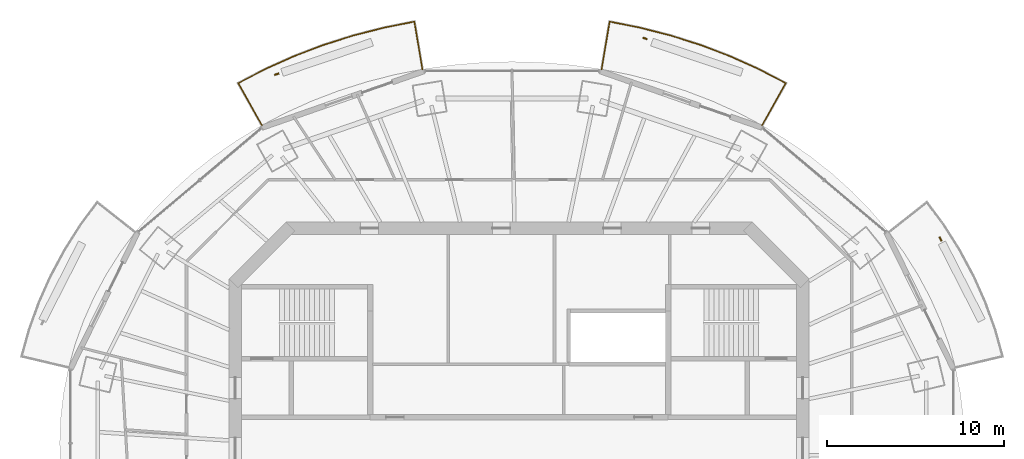
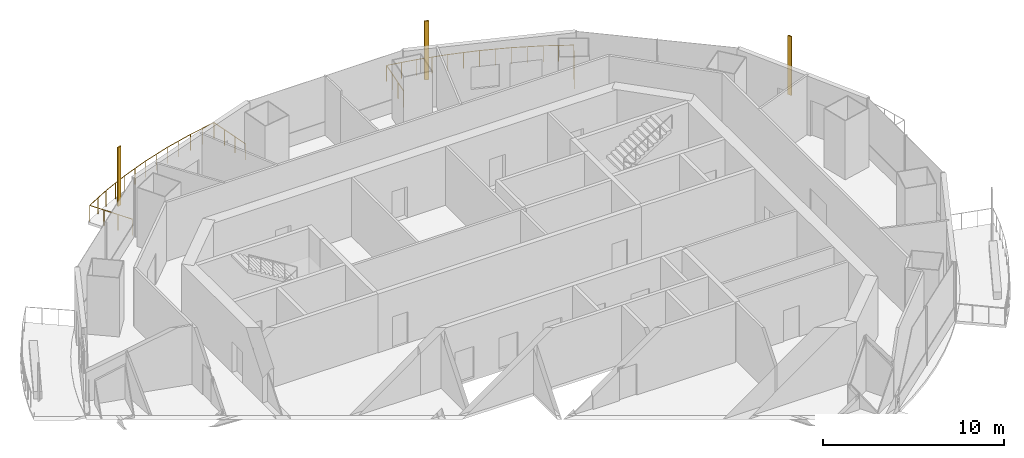
# One storey, part 14 of 15: 3 shading devices, 2 railings.
"""IFC4 building model written with IfcOpenShell, lengths in metres."""

from ifc_helpers import new_model, si_unit, direction, frame, origin, origin_2d, place, context, subcontext, project, spatial, rectangle, circle, extrude, material, material_profile, profile_set, type_object, element, save


model = new_model("IFC4")

# Units and contexts
model_context = context("Model", 3, precision=1e-05, world=origin(), true_north=direction((0.0, 1.0)))
body_context = subcontext(model_context, "Body", "Model", "MODEL_VIEW")
ifc_project = project(units=[si_unit("LENGTHUNIT", "METRE"), si_unit("AREAUNIT", "SQUARE_METRE"), si_unit("VOLUMEUNIT", "CUBIC_METRE"), si_unit("PLANEANGLEUNIT", "RADIAN"), si_unit("MASSUNIT", "GRAM", prefix="KILO")], contexts=[model_context])

# Site, building, storey
site_placement = place(None, origin())
site = spatial("IfcSite", under=ifc_project, at=site_placement, CompositionType="ELEMENT")
building_placement = place(site_placement, origin())
building = spatial("IfcBuilding", under=site, at=building_placement, Name="Marenthal Gate Tower", CompositionType="ELEMENT")
storey_placement = place(building_placement, frame((0.0, 0.0, 384.10009765625)))
storey = spatial("IfcBuildingStorey", under=building, at=storey_placement, Name="L87", CompositionType="ELEMENT", Elevation=384.10009765625)

# Railings
ifc_material_1 = material(Name="Stainless steel", Category="steel")
railing_type = type_object("IfcRailingType", Name="Balcony guard 1100", PredefinedType="GUARDRAIL", material=ifc_material_1)
railing_1_placement = place(storey_placement, frame((4.65380859375, 21.9736328125, 0.0)))
element("IfcRailing", 1, at=railing_1_placement, inside=storey, type_object=railing_type, Name="Balcony guard L87 bay 3", PredefinedType="GUARDRAIL", context=body_context, shape_type="SweptSolid", body=[
    extrude(circle(Radius=0.02392578125, at=origin_2d()), frame((0.0, 0.0, 1.076171875), z_axis=(0.16548710572, 0.986102124538, -0.014717942157), x_axis=(-0.98620894554, 0.16550503236, 0.0)), (0.0, 0.0, 1.0), 2.720458984375),
    extrude(circle(Radius=0.02392578125, at=origin_2d()), frame((0.4501953125, 2.6826171875, 1.0361328125), z_axis=(0.980937527529, -0.194323357023, 0.0), x_axis=(0.194323357023, 0.980937527529, 0.0)), (0.0, 0.0, 1.0), 1.728759765625),
    extrude(circle(Radius=0.02392578125, at=origin_2d()), frame((2.14599609375, 2.3466796875, 1.0361328125), z_axis=(0.968821611277, -0.247759329841, 0.0), x_axis=(0.247759329841, 0.968821611277, 0.0)), (0.0, 0.0, 1.0), 1.80224609375),
    extrude(circle(Radius=0.02392578125, at=origin_2d()), frame((3.89208984375, 1.900146484375, 1.0361328125), z_axis=(0.95315602873, -0.30247906522, 0.0), x_axis=(0.30247906522, 0.95315602873, 0.0)), (0.0, 0.0, 1.0), 1.794189453125),
    extrude(circle(Radius=0.02392578125, at=origin_2d()), frame((5.602294921875, 1.357421875, 1.0361328125), z_axis=(0.934164510517, -0.356842636594, 0.0), x_axis=(0.356842636594, 0.934164510517, 0.0)), (0.0, 0.0, 1.0), 1.784912109375),
    extrude(circle(Radius=0.02392578125, at=origin_2d()), frame((7.269775390625, 0.720458984375, 1.0361328125), z_axis=(0.911620111455, -0.411033784975, 0.0), x_axis=(0.411033784975, 0.911620111455, 0.0)), (0.0, 0.0, 1.0), 1.774658203125),
    extrude(circle(Radius=0.02392578125, at=origin_2d()), frame((8.8876953125, -0.009033203125, 1.0361328125), z_axis=(0.88630797914, -0.463096281688, 0.0), x_axis=(0.463096281688, 0.88630797914, 0.0)), (0.0, 0.0, 1.0), 1.683349609375),
    extrude(circle(Radius=0.02392578125, at=origin_2d()), frame((10.379638671875, -0.78857421875, 1.0361328125), z_axis=(-0.491196386037, -0.87092448933, 0.014718839267), x_axis=(0.871018845044, -0.491249602115, 0.0)), (0.0, 0.0, 1.0), 2.72021484375),
    extrude(circle(Radius=0.02099609375, at=origin_2d()), origin(), (0.0, 0.0, 1.0), 1.052001953125),
    extrude(circle(Radius=0.02099609375, at=origin_2d()), frame((0.150146484375, 0.894287109375, -0.013427734375)), (0.0, 0.0, 1.0), 1.052001953125),
    extrude(circle(Radius=0.02099609375, at=origin_2d()), frame((0.300048828125, 1.788330078125, -0.026611328125)), (0.0, 0.0, 1.0), 1.052001953125),
    extrude(circle(Radius=0.02099609375, at=origin_2d()), frame((0.4501953125, 2.6826171875, -0.0400390625)), (0.0, 0.0, 1.0), 1.052001953125),
    extrude(circle(Radius=0.02099609375, at=origin_2d()), frame((1.298095703125, 2.5146484375, -0.0400390625)), (0.0, 0.0, 1.0), 1.052001953125),
    extrude(circle(Radius=0.02099609375, at=origin_2d()), frame((2.14599609375, 2.3466796875, -0.0400390625)), (0.0, 0.0, 1.0), 1.052001953125),
    extrude(circle(Radius=0.02099609375, at=origin_2d()), frame((3.01904296875, 2.12353515625, -0.0400390625)), (0.0, 0.0, 1.0), 1.052001953125),
    extrude(circle(Radius=0.02099609375, at=origin_2d()), frame((3.89208984375, 1.900146484375, -0.0400390625)), (0.0, 0.0, 1.0), 1.052001953125),
    extrude(circle(Radius=0.02099609375, at=origin_2d()), frame((4.7470703125, 1.62890625, -0.0400390625)), (0.0, 0.0, 1.0), 1.052001953125),
    extrude(circle(Radius=0.02099609375, at=origin_2d()), frame((5.602294921875, 1.357421875, -0.0400390625)), (0.0, 0.0, 1.0), 1.052001953125),
    extrude(circle(Radius=0.02099609375, at=origin_2d()), frame((6.43603515625, 1.0390625, -0.0400390625)), (0.0, 0.0, 1.0), 1.052001953125),
    extrude(circle(Radius=0.02099609375, at=origin_2d()), frame((7.269775390625, 0.720458984375, -0.0400390625)), (0.0, 0.0, 1.0), 1.052001953125),
    extrude(circle(Radius=0.02099609375, at=origin_2d()), frame((8.07861328125, 0.355712890625, -0.0400390625)), (0.0, 0.0, 1.0), 1.052001953125),
    extrude(circle(Radius=0.02099609375, at=origin_2d()), frame((8.8876953125, -0.009033203125, -0.0400390625)), (0.0, 0.0, 1.0), 1.052001953125),
    extrude(circle(Radius=0.02099609375, at=origin_2d()), frame((9.6337890625, -0.39892578125, -0.0400390625)), (0.0, 0.0, 1.0), 1.052001953125),
    extrude(circle(Radius=0.02099609375, at=origin_2d()), frame((10.379638671875, -0.78857421875, -0.0400390625)), (0.0, 0.0, 1.0), 1.052001953125),
    extrude(circle(Radius=0.02099609375, at=origin_2d()), frame((9.934326171875, -1.578369140625, -0.026611328125)), (0.0, 0.0, 1.0), 1.052001953125),
    extrude(circle(Radius=0.02099609375, at=origin_2d()), frame((9.48876953125, -2.367919921875, -0.013427734375)), (0.0, 0.0, 1.0), 1.052001953125),
    extrude(circle(Radius=0.02099609375, at=origin_2d()), frame((9.04345703125, -3.15771484375, 0.0)), (0.0, 0.0, 1.0), 1.052001953125),
])
railing_2_placement = place(storey_placement, frame((-14.497314453125, 18.81591796875, 0.0)))
element("IfcRailing", 2, at=railing_2_placement, inside=storey, type_object=railing_type, Name="Balcony guard L87 bay 5", PredefinedType="GUARDRAIL", context=body_context, shape_type="SweptSolid", body=[
    extrude(circle(Radius=0.02392578125, at=origin_2d()), frame((0.0, 0.0, 1.076171875), z_axis=(-0.491196386037, 0.87092448933, -0.014718839267), x_axis=(-0.871018845044, -0.491249602115, 0.0)), (0.0, 0.0, 1.0), 2.72021484375),
    extrude(circle(Radius=0.02392578125, at=origin_2d()), frame((-1.336181640625, 2.369140625, 1.0361328125), z_axis=(0.88630797914, 0.463096281688, 0.0), x_axis=(-0.463096281688, 0.88630797914, 0.0)), (0.0, 0.0, 1.0), 1.683349609375),
    extrude(circle(Radius=0.02392578125, at=origin_2d()), frame((0.15576171875, 3.148681640625, 1.0361328125), z_axis=(0.911620111455, 0.411033784975, 0.0), x_axis=(-0.411033784975, 0.911620111455, 0.0)), (0.0, 0.0, 1.0), 1.774658203125),
    extrude(circle(Radius=0.02392578125, at=origin_2d()), frame((1.773681640625, 3.878173828125, 1.0361328125), z_axis=(0.934181923489, 0.356797048512, 0.0), x_axis=(-0.356797048512, 0.934181923489, 0.0)), (0.0, 0.0, 1.0), 1.78515625),
    extrude(circle(Radius=0.02392578125, at=origin_2d()), frame((3.44140625, 4.51513671875, 1.0361328125), z_axis=(0.95315602873, 0.30247906522, 0.0), x_axis=(-0.30247906522, 0.95315602873, 0.0)), (0.0, 0.0, 1.0), 1.794189453125),
    extrude(circle(Radius=0.02392578125, at=origin_2d()), frame((5.151611328125, 5.057861328125, 1.0361328125), z_axis=(0.96881329437, 0.247791849448, 0.0), x_axis=(-0.247791849448, 0.96881329437, 0.0)), (0.0, 0.0, 1.0), 1.802001953125),
    extrude(circle(Radius=0.02392578125, at=origin_2d()), frame((6.8974609375, 5.50439453125, 1.0361328125), z_axis=(0.980937527529, 0.194323357023, 0.0), x_axis=(-0.194323357023, 0.980937527529, 0.0)), (0.0, 0.0, 1.0), 1.728759765625),
    extrude(circle(Radius=0.02392578125, at=origin_2d()), frame((8.59326171875, 5.84033203125, 1.0361328125), z_axis=(0.165574389609, -0.986087475896, 0.014717723521), x_axis=(0.986194292137, 0.165592325172, 0.0)), (0.0, 0.0, 1.0), 2.720458984375),
    extrude(circle(Radius=0.02099609375, at=origin_2d()), origin(), (0.0, 0.0, 1.0), 1.052001953125),
    extrude(circle(Radius=0.02099609375, at=origin_2d()), frame((-0.4453125, 0.789794921875, -0.013427734375)), (0.0, 0.0, 1.0), 1.052001953125),
    extrude(circle(Radius=0.02099609375, at=origin_2d()), frame((-0.890869140625, 1.579345703125, -0.026611328125)), (0.0, 0.0, 1.0), 1.052001953125),
    extrude(circle(Radius=0.02099609375, at=origin_2d()), frame((-1.336181640625, 2.369140625, -0.0400390625)), (0.0, 0.0, 1.0), 1.052001953125),
    extrude(circle(Radius=0.02099609375, at=origin_2d()), frame((-0.59033203125, 2.7587890625, -0.0400390625)), (0.0, 0.0, 1.0), 1.052001953125),
    extrude(circle(Radius=0.02099609375, at=origin_2d()), frame((0.15576171875, 3.148681640625, -0.0400390625)), (0.0, 0.0, 1.0), 1.052001953125),
    extrude(circle(Radius=0.02099609375, at=origin_2d()), frame((0.96484375, 3.513427734375, -0.0400390625)), (0.0, 0.0, 1.0), 1.052001953125),
    extrude(circle(Radius=0.02099609375, at=origin_2d()), frame((1.773681640625, 3.878173828125, -0.0400390625)), (0.0, 0.0, 1.0), 1.052001953125),
    extrude(circle(Radius=0.02099609375, at=origin_2d()), frame((2.607421875, 4.19677734375, -0.0400390625)), (0.0, 0.0, 1.0), 1.052001953125),
    extrude(circle(Radius=0.02099609375, at=origin_2d()), frame((3.44140625, 4.51513671875, -0.0400390625)), (0.0, 0.0, 1.0), 1.052001953125),
    extrude(circle(Radius=0.02099609375, at=origin_2d()), frame((4.29638671875, 4.78662109375, -0.0400390625)), (0.0, 0.0, 1.0), 1.052001953125),
    extrude(circle(Radius=0.02099609375, at=origin_2d()), frame((5.151611328125, 5.057861328125, -0.0400390625)), (0.0, 0.0, 1.0), 1.052001953125),
    extrude(circle(Radius=0.02099609375, at=origin_2d()), frame((6.0244140625, 5.28125, -0.0400390625)), (0.0, 0.0, 1.0), 1.052001953125),
    extrude(circle(Radius=0.02099609375, at=origin_2d()), frame((6.8974609375, 5.50439453125, -0.0400390625)), (0.0, 0.0, 1.0), 1.052001953125),
    extrude(circle(Radius=0.02099609375, at=origin_2d()), frame((7.745361328125, 5.67236328125, -0.0400390625)), (0.0, 0.0, 1.0), 1.052001953125),
    extrude(circle(Radius=0.02099609375, at=origin_2d()), frame((8.59326171875, 5.84033203125, -0.0400390625)), (0.0, 0.0, 1.0), 1.052001953125),
    extrude(circle(Radius=0.02099609375, at=origin_2d()), frame((8.743408203125, 4.946044921875, -0.026611328125)), (0.0, 0.0, 1.0), 1.052001953125),
    extrude(circle(Radius=0.02099609375, at=origin_2d()), frame((8.8935546875, 4.052001953125, -0.013427734375)), (0.0, 0.0, 1.0), 1.052001953125),
    extrude(circle(Radius=0.02099609375, at=origin_2d()), frame((9.043701171875, 3.15771484375, 0.0)), (0.0, 0.0, 1.0), 1.052001953125),
])

# Shading devices
ifc_material_2 = material(Name="Terracotta", Category="masonry")
ifc_material_profile = material_profile(ifc_material_2, rectangle(XDim=0.25, YDim=0.080078125, at=origin_2d()), Name="Terracotta baguette 250x80")
ifc_profile_set = profile_set([ifc_material_profile], Name="Terracotta")
shading_device_type = type_object("IfcShadingDeviceType", Name="Terracotta BAGUETTE SCREEN 250x80", PredefinedType="USERDEFINED", material=ifc_profile_set)
for number, where, z_axis, x_axis, name in (
    (3, (23.756103515625, 12.407958984375, -0.0400390625), (0.0, 0.0, 1.0), (-0.440810069048, 0.897600402755, 0.0), "Terracotta BAGUETTE L87 bay 1R"),
    (4, (7.103271484375, 23.707763671875, -0.0400390625), (0.0, 0.0, 1.0), (-0.944044940534, 0.329816843494, 0.0), "Terracotta BAGUETTE L87 bay 3R"),
    (5, (-13.6650390625, 21.69482421875, -0.0400390625), (0.0, 0.0, 1.0), (-0.944044940534, -0.329816843494, 0.0), "Terracotta BAGUETTE L87 bay 5R"),
):
    element("IfcShadingDevice", number, at=place(storey_placement, frame(where, z_axis=z_axis, x_axis=x_axis)), inside=storey, type_object=shading_device_type, Name=name, ObjectType="BAGUETTE SCREEN", PredefinedType="USERDEFINED", context=body_context, shape_type="SweptSolid", body=[
        extrude(rectangle(XDim=0.25, YDim=0.080078125, at=origin_2d()), origin(), (0.0, 0.0, 1.0), 3.969970703125),
    ])

save(model, "model.ifc")
